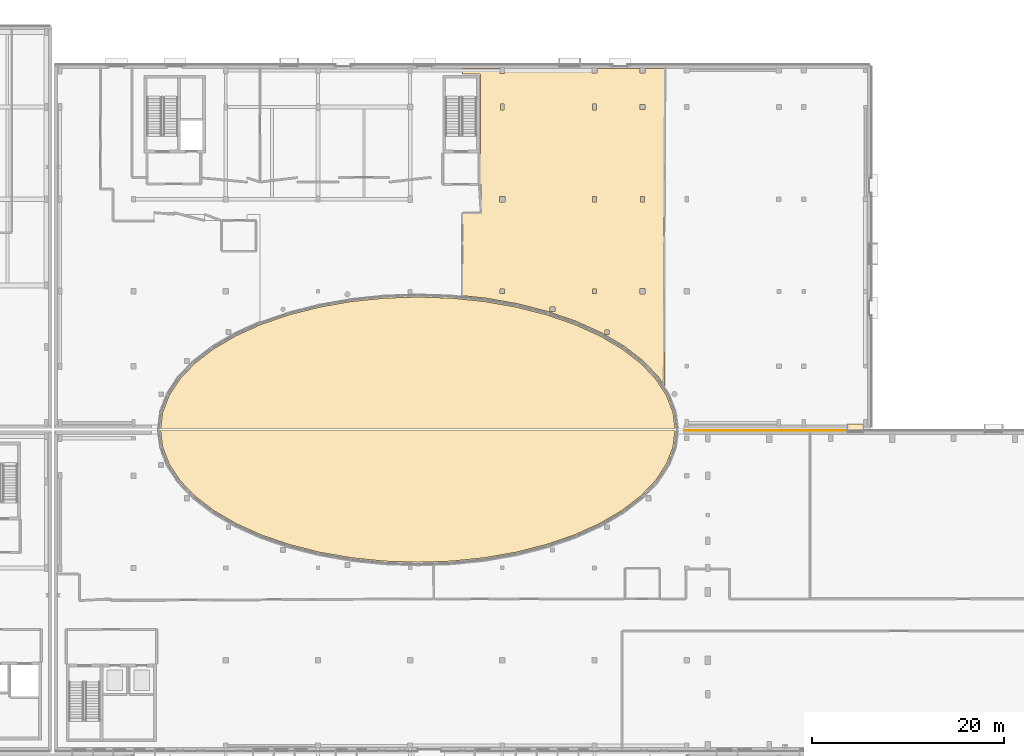
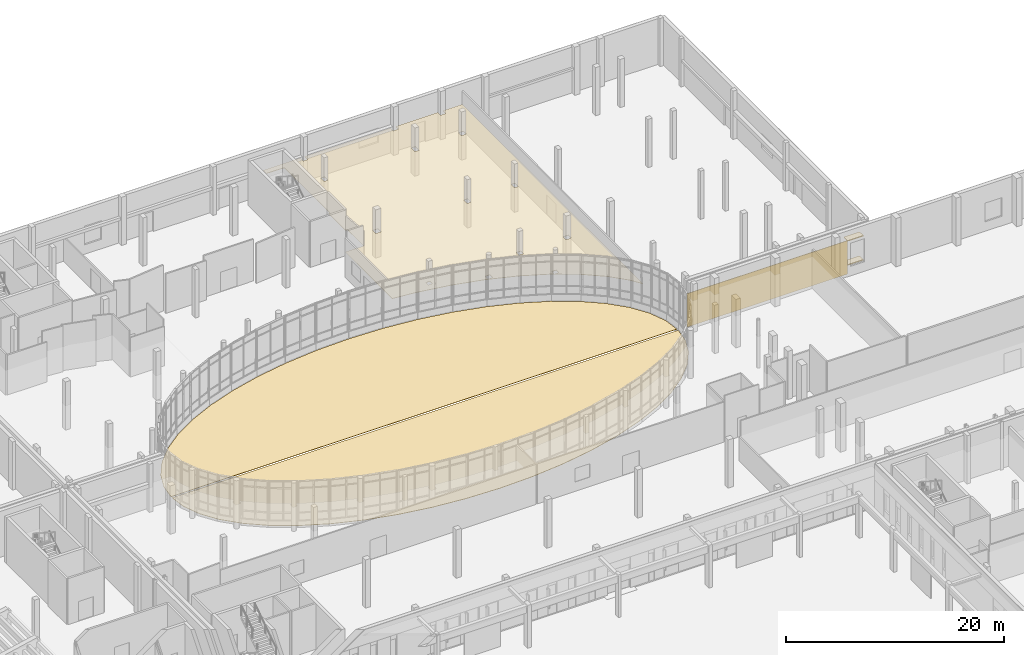
# One storey, part 73 of 84: 6 coverings.
"""IFC4 building model written with IfcOpenShell, lengths in metres."""

from ifc_helpers import new_model, si_unit, direction, frame, origin, origin_2d, place, context, subcontext, project, spatial, polyline, rectangle, outline, extrude, material, layer, layer_set, type_object, element, save


model = new_model("IFC4")

# Units and contexts
model_context = context("Model", 3, precision=1e-05, world=origin(), true_north=direction((0.0, 1.0)))
body_context = subcontext(model_context, "Body", "Model", "MODEL_VIEW")
ifc_project = project(units=[si_unit("LENGTHUNIT", "METRE"), si_unit("AREAUNIT", "SQUARE_METRE"), si_unit("VOLUMEUNIT", "CUBIC_METRE"), si_unit("PLANEANGLEUNIT", "RADIAN"), si_unit("MASSUNIT", "GRAM", prefix="KILO")], contexts=[model_context])

# Site, building, storey
site_placement = place(None, origin())
site = spatial("IfcSite", under=ifc_project, at=site_placement, CompositionType="ELEMENT")
building_placement = place(site_placement, origin())
building = spatial("IfcBuilding", under=site, at=building_placement, Name="Mzevani Central Library", CompositionType="ELEMENT")
storey_placement = place(building_placement, origin())
storey = spatial("IfcBuildingStorey", under=building, at=storey_placement, Name="L00", CompositionType="ELEMENT", Elevation=0.0)

# Coverings
ifc_material_1 = material(Name="Limestone ashlar cladding", Category="masonry")
ifc_layer_1 = layer(ifc_material_1, 0.050048828125, Name="Limestone Ashlar Spandrel Cladding")
ifc_layer_set_1 = layer_set([ifc_layer_1], Name="Limestone ashlar cladding")
covering_type_1 = type_object("IfcCoveringType", Name="Limestone Ashlar Spandrel Cladding", PredefinedType="CLADDING", material=ifc_layer_set_1)
for number, where, z_axis, x_axis, name in (
    (1, (129.567138671875, 76.238037109375, 3.64990234375), (0.0, 0.0, 1.0), (1.0, 0.0, 0.0), "L00 Deep Window Reveal HD (REV4-0040)"),
    (2, (129.567138671875, 76.238037109375, 0.9599609375), (0.0, 0.0, 1.0), (1.0, 0.0, 0.0), "L00 Deep Window Reveal SL (REV4-0040)"),
):
    element("IfcCovering", number, at=place(storey_placement, frame(where, z_axis=z_axis, x_axis=x_axis)), inside=storey, type_object=covering_type_1, Name=name, PredefinedType="CLADDING", context=body_context, shape_type="SweptSolid", body=[
        extrude(rectangle(XDim=1.679931640625, YDim=0.679931640625, at=origin_2d()), origin(), (0.0, 0.0, 1.0), 0.090087890625),
    ])
covering_1_placement = place(storey_placement, frame((120.218994140625, 75.924072265625, 0.0), z_axis=(0.0, 0.0, 1.0), x_axis=(1.0, 0.0, 0.0)))
element("IfcCovering", 3, at=covering_1_placement, inside=storey, type_object=covering_type_1, Name="L00 Warm-White Facade Pier 1 (EW4-V1-L00-0005)", PredefinedType="CLADDING", context=body_context, shape_type="SweptSolid", body=[
    extrude(rectangle(XDim=16.956298828125, YDim=0.050048828125, at=origin_2d()), origin(), (0.0, 0.0, 1.0), 3.75),
])
ifc_material_2 = material(Name="Mineral wool acoustic ceiling")
ifc_layer_2 = layer(ifc_material_2, 0.0400390625, Name="Perforated Timber Acoustic Ceiling")
ifc_layer_set_2 = layer_set([ifc_layer_2], Name="Mineral wool acoustic ceiling")
covering_type_2 = type_object("IfcCoveringType", Name="Perforated Timber Acoustic Ceiling", PredefinedType="CEILING", material=ifc_layer_set_2)
covering_2_placement = place(storey_placement, frame((0.0, 0.0, 2.72998046875)))
element("IfcCovering", 4, at=covering_2_placement, inside=storey, type_object=covering_type_2, Name="L00 Elliptical Court Reading Gallery 2 Acoustic Ceiling", PredefinedType="CEILING", context=body_context, shape_type="SweptSolid", body=[
    extrude(outline(polyline([(90.392333984375, 104.65625), (90.498291015625, 104.70166015625), (90.5400390625, 104.802001953125), (90.539306640625, 112.91259765625), (90.49853515625, 112.99853515625), (90.41259765625, 113.039306640625), (88.646240234375, 113.040771484375), (88.646240234375, 113.629150390625), (92.574951171875, 113.6298828125), (92.574951171875, 113.074951171875), (93.02490234375, 113.074951171875), (93.02490234375, 113.6298828125), (102.125, 113.6298828125), (102.125, 113.125), (102.675048828125, 113.125), (102.675048828125, 113.6298828125), (107.125, 113.6298828125), (107.125, 113.125), (107.675048828125, 113.125), (107.675048828125, 113.6298828125), (109.74267578125, 113.626220703125), (109.7412109375, 80.488525390625), (109.04931640625, 81.516357421875), (107.477294921875, 83.16162109375), (105.48828125, 84.700927734375), (103.102294921875, 86.10400390625), (100.467529296875, 87.294921875), (97.49072265625, 88.320556640625), (94.347412109375, 89.119384765625), (91.00048828125, 89.7060546875), (88.642333984375, 89.95166015625), (88.639892578125, 98.551025390625), (90.590087890625, 98.56005859375), (90.590087890625, 101.5400390625), (90.389892578125, 101.550048828125), (90.392333984375, 104.65625)]), holes=[polyline([(92.574951171875, 90.625), (92.574951171875, 90.175048828125), (93.02490234375, 90.175048828125), (93.02490234375, 90.625), (92.574951171875, 90.625)]), polyline([(93.074951171875, 100.27490234375), (92.52490234375, 100.27490234375), (92.52490234375, 99.72509765625), (93.074951171875, 99.72509765625), (93.074951171875, 100.27490234375)]), polyline([(93.0, 109.300048828125), (93.0, 109.89990234375), (92.60009765625, 109.89990234375), (92.60009765625, 109.300048828125), (93.0, 109.300048828125)]), polyline([(102.175048828125, 90.625), (102.175048828125, 90.175048828125), (102.625, 90.175048828125), (102.625, 90.625), (102.175048828125, 90.625)]), polyline([(102.60009765625, 100.300048828125), (102.199951171875, 100.300048828125), (102.199951171875, 99.699951171875), (102.60009765625, 99.699951171875), (102.60009765625, 100.300048828125)]), polyline([(102.625, 109.27490234375), (102.625, 109.925048828125), (102.175048828125, 109.925048828125), (102.175048828125, 109.27490234375), (102.625, 109.27490234375)]), polyline([(107.125, 90.675048828125), (107.125, 90.125), (107.675048828125, 90.125), (107.675048828125, 90.675048828125), (107.125, 90.675048828125)]), polyline([(107.60009765625, 100.300048828125), (107.199951171875, 100.300048828125), (107.199951171875, 99.699951171875), (107.60009765625, 99.699951171875), (107.60009765625, 100.300048828125)]), polyline([(107.64990234375, 109.35009765625), (107.64990234375, 109.85009765625), (107.14990234375, 109.85009765625), (107.14990234375, 109.35009765625), (107.64990234375, 109.35009765625)]), polyline([(103.48095703125, 86.381103515625), (103.48095703125, 85.930908203125), (103.930908203125, 85.930908203125), (103.930908203125, 86.381103515625), (103.48095703125, 86.381103515625)]), polyline([(98.283935546875, 88.778076171875), (97.783935546875, 88.778076171875), (97.783935546875, 88.278076171875), (98.283935546875, 88.278076171875), (98.283935546875, 88.778076171875)])]), origin(), (0.0, 0.0, 1.0), 0.0400390625),
])
ifc_material_3 = material(Name="Terrazzo stone flooring", Category="masonry")
ifc_layer_3 = layer(ifc_material_3, 0.030029296875, Name="Terrazzo Stone Floor Finish")
ifc_layer_set_3 = layer_set([ifc_layer_3], Name="Terrazzo stone flooring")
covering_type_3 = type_object("IfcCoveringType", Name="Terrazzo Stone Floor Finish", PredefinedType="FLOORING", material=ifc_layer_set_3)
covering_3_placement = place(storey_placement, frame((0.0, 0.0, -0.0400390625)))
element("IfcCovering", 5, at=covering_3_placement, inside=storey, type_object=covering_type_3, Name="L00 Elliptical Daylight Court Stone Paving 1", PredefinedType="FLOORING", context=body_context, shape_type="SweptSolid", body=[
    extrude(outline(polyline([(57.42919921875, 77.802978515625), (58.11328125, 79.574951171875), (59.239990234375, 81.28564453125), (60.79052734375, 82.90625), (62.738037109375, 84.408447265625), (65.049560546875, 85.766845703125), (67.685302734375, 86.9580078125), (70.60009765625, 87.9619140625), (73.744140625, 88.760986328125), (77.063720703125, 89.341796875), (80.501953125, 89.694091796875), (84.0, 89.812255859375), (87.498046875, 89.694091796875), (90.936279296875, 89.341796875), (94.255859375, 88.760986328125), (97.39990234375, 87.9619140625), (100.314697265625, 86.9580078125), (102.950439453125, 85.766845703125), (105.261962890625, 84.408447265625), (107.20947265625, 82.90625), (108.760009765625, 81.28564453125), (109.88671875, 79.574951171875), (110.57080078125, 77.802978515625), (110.787353515625, 76.10009765625), (57.212646484375, 76.10009765625), (57.42919921875, 77.802978515625)])), origin(), (0.0, 0.0, 1.0), 0.0400390625),
])
covering_4_placement = place(storey_placement, frame((0.0, 0.0, -0.0400390625)))
element("IfcCovering", 6, at=covering_4_placement, inside=storey, type_object=covering_type_3, Name="L00 Elliptical Daylight Court Stone Paving 2", PredefinedType="FLOORING", context=body_context, shape_type="SweptSolid", body=[
    extrude(outline(polyline([(110.57080078125, 74.197021484375), (109.88671875, 72.425048828125), (108.760009765625, 70.71435546875), (107.20947265625, 69.09375), (105.261962890625, 67.591552734375), (102.950439453125, 66.233154296875), (100.314697265625, 65.0419921875), (97.39990234375, 64.0380859375), (94.255859375, 63.239013671875), (90.936279296875, 62.658203125), (87.498046875, 62.305908203125), (84.0, 62.187744140625), (80.501953125, 62.305908203125), (77.063720703125, 62.658203125), (73.744140625, 63.239013671875), (70.60009765625, 64.0380859375), (67.685302734375, 65.0419921875), (65.049560546875, 66.233154296875), (62.738037109375, 67.591552734375), (60.79052734375, 69.09375), (59.239990234375, 70.71435546875), (58.11328125, 72.425048828125), (57.42919921875, 74.197021484375), (57.212646484375, 75.89990234375), (110.787353515625, 75.89990234375), (110.57080078125, 74.197021484375)])), origin(), (0.0, 0.0, 1.0), 0.0400390625),
])

save(model, "model.ifc")
